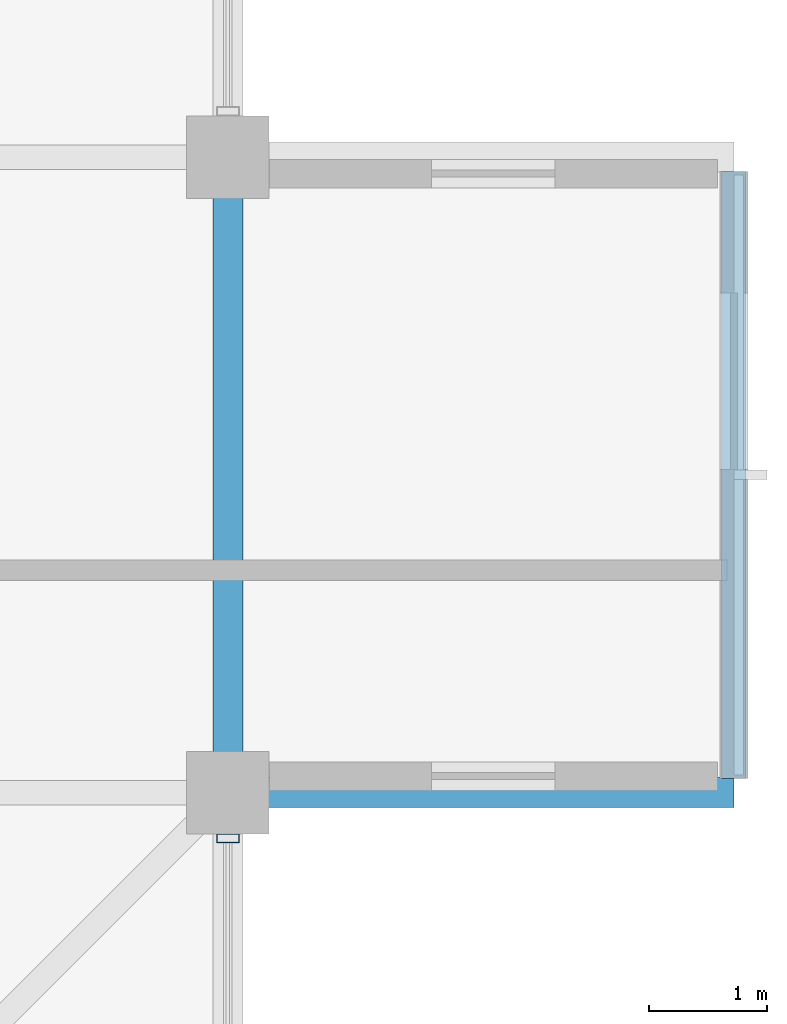
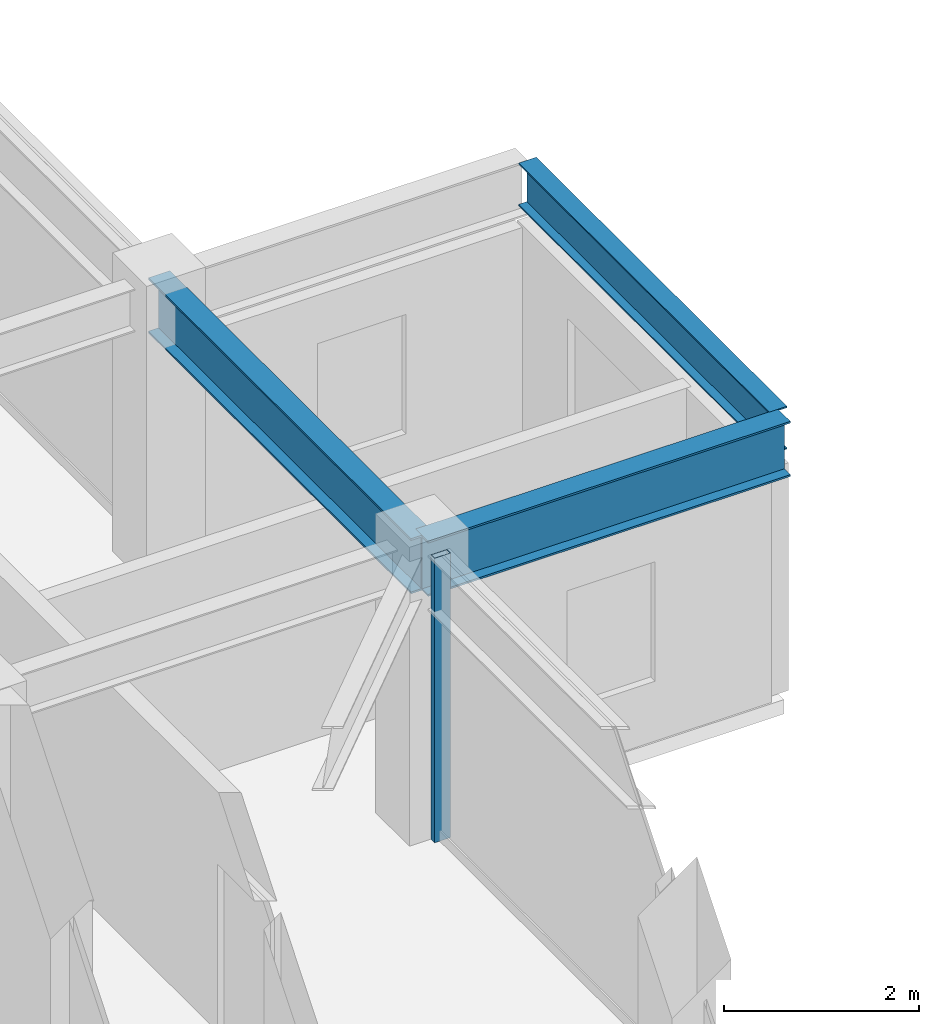
# One storey, part 12 of 31: 3 beams, 1 member, 1 element without a shape of its own.
"""IFC4 building model written with IfcOpenShell, lengths in metres."""

from ifc_helpers import new_model, si_unit, direction, frame, origin, origin_2d, place, context, subcontext, project, spatial, hollow_rectangle, i_section, extrude, material, layer, layer_set, material_profile, profile_set, type_object, element, aggregate, save


model = new_model("IFC4")

# Units and contexts
model_context = context("Model", 3, precision=1e-05, world=origin(), true_north=direction((0.0, 1.0)))
body_context = subcontext(model_context, "Body", "Model", "MODEL_VIEW")
ifc_project = project(units=[si_unit("LENGTHUNIT", "METRE"), si_unit("AREAUNIT", "SQUARE_METRE"), si_unit("VOLUMEUNIT", "CUBIC_METRE"), si_unit("PLANEANGLEUNIT", "RADIAN"), si_unit("MASSUNIT", "GRAM", prefix="KILO")], contexts=[model_context])

# Site, building, storey
site_placement = place(None, origin())
site = spatial("IfcSite", under=ifc_project, at=site_placement, CompositionType="ELEMENT")
building_placement = place(site_placement, origin())
building = spatial("IfcBuilding", under=site, at=building_placement, Name="Surkhivell Harbour Commons", CompositionType="ELEMENT")
storey_placement = place(building_placement, frame((0.0, 0.0, 262.5)))
storey = spatial("IfcBuildingStorey", under=building, at=storey_placement, Name="L68", CompositionType="ELEMENT", Elevation=262.5)

# Beams
ifc_material_1 = material(Name="Steel S460", Category="steel")
ifc_material_profile_1 = material_profile(ifc_material_1, i_section(OverallWidth=0.256103515625, OverallDepth=0.693115234375, WebThickness=0.014404296875, FlangeThickness=0.023681640625, at=origin_2d()), Name="UB686x254x170")
ifc_profile_set_1 = profile_set([ifc_material_profile_1], Name="Steel S460")
beam_type_1 = type_object("IfcBeamType", Name="BM-CNT-686", PredefinedType="BEAM", material=ifc_profile_set_1)
beam_1_placement = place(storey_placement, frame((16.199951171875, 5.39990234375, 3.223388671875), z_axis=(1.0, 0.0, 0.0), x_axis=(0.0, 1.0, 0.0)))
element("IfcBeam", 1, at=beam_1_placement, inside=storey, type_object=beam_type_1, Name="L68 Box Cantilever Outrigger (16.2,5.4)", PredefinedType="BEAM", context=body_context, shape_type="SweptSolid", body=[
    extrude(i_section(OverallWidth=0.256103515625, OverallDepth=0.693115234375, WebThickness=0.014404296875, FlangeThickness=0.023681640625, at=origin_2d()), origin(), (0.0, 0.0, 1.0), 4.300048828125),
])
ifc_material_2 = material(Name="Steel S355", Category="steel")
ifc_material_profile_2 = material_profile(ifc_material_2, i_section(OverallWidth=0.2099609375, OverallDepth=0.537109375, WebThickness=0.0107421875, FlangeThickness=0.017333984375, at=origin_2d()), Name="UB533x210x101")
ifc_profile_set_2 = profile_set([ifc_material_profile_2], Name="Steel S355")
beam_type_2 = type_object("IfcBeamType", Name="BM-GRD-533B", PredefinedType="BEAM", material=ifc_profile_set_2)
beam_2_placement = place(storey_placement, frame((20.5, 5.52197265625, 3.301513671875), z_axis=(0.0, 1.0, 0.0), x_axis=(-1.0, 0.0, 0.0)))
element("IfcBeam", 2, at=beam_2_placement, inside=storey, type_object=beam_type_2, Name="L68 Box Rim Spandrel (20.5,5.4)", PredefinedType="BEAM", context=body_context, shape_type="SweptSolid", body=[
    extrude(i_section(OverallWidth=0.2099609375, OverallDepth=0.537109375, WebThickness=0.0107421875, FlangeThickness=0.017333984375, at=origin_2d()), origin(), (0.0, 0.0, 1.0), 5.156005859375),
])
ifc_material_profile_3 = material_profile(ifc_material_2, i_section(OverallWidth=0.256103515625, OverallDepth=0.693115234375, WebThickness=0.014404296875, FlangeThickness=0.023681640625, at=origin_2d()), Name="UB686x254x170")
ifc_profile_set_3 = profile_set([ifc_material_profile_3], Name="Steel S355")
beam_type_3 = type_object("IfcBeamType", Name="BM-SPN-686", PredefinedType="SPANDREL", material=ifc_profile_set_3)
beam_3_placement = place(storey_placement, frame((16.199951171875, 5.39990234375, 3.223388671875), z_axis=(0.0, 1.0, 0.0), x_axis=(-1.0, 0.0, 0.0)))
element("IfcBeam", 3, at=beam_3_placement, inside=storey, type_object=beam_type_3, Name="L68 Tube Spandrel (16.2,5.4)", PredefinedType="SPANDREL", context=body_context, shape_type="SweptSolid", body=[
    extrude(i_section(OverallWidth=0.256103515625, OverallDepth=0.693115234375, WebThickness=0.014404296875, FlangeThickness=0.023681640625, at=origin_2d()), origin(), (0.0, 0.0, 1.0), 5.400146484375),
])

# Curtain wall, member
ifc_material_3 = material(Name="Anodised pale-metal aluminium and insulated glazing", Category="aluminium")
ifc_layer = layer(ifc_material_3, 0.175048828125)
ifc_layer_set = layer_set([ifc_layer], Name="Anodised pale-metal aluminium and insulated glazing")
curtain_wall_type = type_object("IfcCurtainWallType", Name="CW-SYS-Z4", PredefinedType="NOTDEFINED", material=ifc_layer_set)
curtain_wall_placement = place(storey_placement, origin())
curtain_wall = element("IfcCurtainWall", 4, at=curtain_wall_placement, inside=storey, type_object=curtain_wall_type, Name="L68 Curtain Wall CW-L68-E02R1", PredefinedType="NOTDEFINED")
ifc_material_4 = material(Name="Anodised pale-metal aluminium alloy 6063-T6", Category="aluminium")
ifc_material_profile_4 = material_profile(ifc_material_4, hollow_rectangle(XDim=0.074951171875, YDim=0.18994140625, WallThickness=0.00390625, at=origin_2d()), Name="ALU-MULL-75x190")
ifc_profile_set_4 = profile_set([ifc_material_profile_4], Name="Anodised pale-metal aluminium alloy 6063-T6")
member_type = type_object("IfcMemberType", Name="CWM-190", PredefinedType="MULLION", material=ifc_profile_set_4)
member_placement = place(storey_placement, frame((16.199951171875, 5.010498046875, 0.0), z_axis=(0.0, 0.0, 1.0), x_axis=(0.0, 1.0, 0.0)))
member = element("IfcMember", 5, at=member_placement, type_object=member_type, Name="CW-Z4 mullion 3", PredefinedType="MULLION", context=body_context, shape_type="SweptSolid", body=[
    extrude(hollow_rectangle(XDim=0.074951171875, YDim=0.18994140625, WallThickness=0.00390625, at=origin_2d()), origin(), (0.0, 0.0, 1.0), 3.570068359375),
])
aggregate(curtain_wall, [member])

save(model, "model.ifc")
